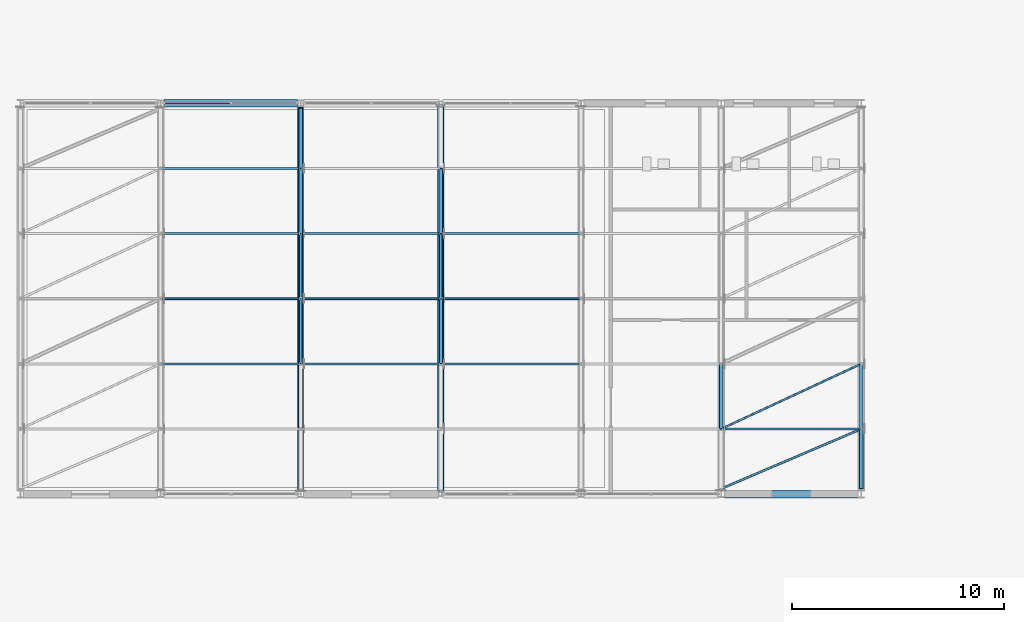
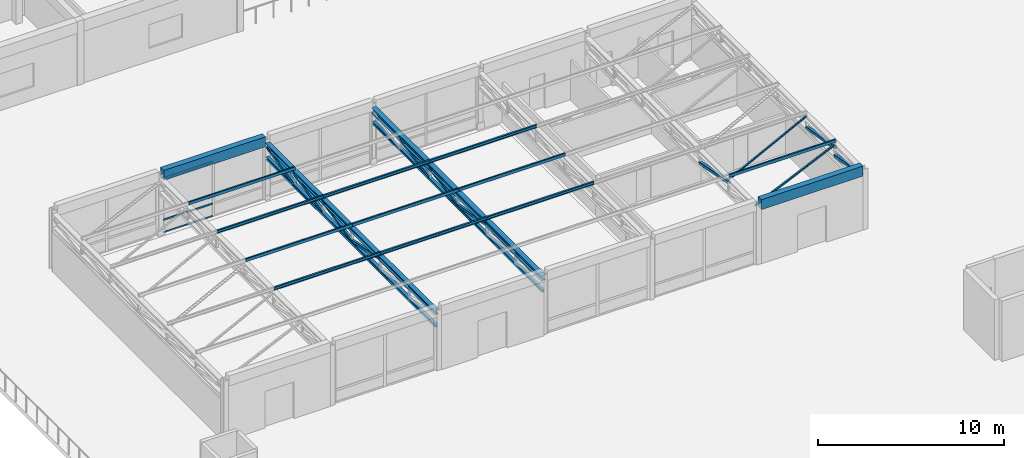
# One storey, part 25 of 92: 26 members, 6 beams, 1 element without a shape of its own.
"""IFC4 building model written with IfcOpenShell, lengths in metres."""

import ifcopenshell
import ifcopenshell.guid

model = None  # the IFC model being written
_history = None  # IfcOwnerHistory: only IFC2X3 demands one
_inside = {}  # id of a spatial element -> (the spatial element, [elements in it])
_under = {}  # id of a project, library or spatial element -> (it, [spatial elements below it])
_declared = {}  # id of a project -> (the project, [libraries it declares])
_typed = {}  # id of a type object -> (the type object, [elements of that type])
_made_of = {}  # id of a material, layer set ... -> (it, [elements and type objects made of it])


def new_model(schema):
    """Start an empty IFC model of exactly this schema.

    Asked for "IFC4X3", IfcOpenShell would pick the latest addendum, in which some entities
    have other attributes; the version numbers below select the first issue.
    IFC2X3 requires an IfcOwnerHistory on every rooted entity: one is made here for all.
    """
    global model, _history
    if schema == "IFC4X3":
        model = ifcopenshell.file(schema_version=(4, 3, 0, 0))
    else:
        model = ifcopenshell.file(schema=schema)
    _inside.clear()
    _under.clear()
    _declared.clear()
    _typed.clear()
    _made_of.clear()
    _history = None
    if model.schema == "IFC2X3":
        org = make("IfcOrganization", Name="unknown")
        user = make(
            "IfcPersonAndOrganization",
            ThePerson=make("IfcPerson", FamilyName="unknown"),
            TheOrganization=org,
        )
        app = make(
            "IfcApplication",
            ApplicationDeveloper=org,
            Version="unknown",
            ApplicationFullName="unknown",
            ApplicationIdentifier="unknown",
        )
        _history = make(
            "IfcOwnerHistory",
            OwningUser=user,
            OwningApplication=app,
            ChangeAction="ADDED",
            CreationDate=0,
        )
    return model


def make(cls, **values):
    """One entity of the class cls with the attributes given. An attribute that is None is left unset."""
    return model.create_entity(
        cls, **{name: value for name, value in values.items() if value is not None}
    )


def rooted(cls, **values):
    """An entity with a GlobalId (a new one), such as an element, a storey or a relation."""
    return make(cls, GlobalId=ifcopenshell.guid.new(), OwnerHistory=_history, **values)


def si_unit(unit_type, name, prefix=None):
    """IfcSIUnit, for example si_unit("LENGTHUNIT", "METRE", prefix="MILLI")."""
    return make("IfcSIUnit", UnitType=unit_type, Prefix=prefix, Name=name)


def assignment(units):
    """IfcUnitAssignment: the units of a project."""
    return None if units is None else make("IfcUnitAssignment", Units=units)


def point(xyz):
    """IfcCartesianPoint."""
    return None if xyz is None else make("IfcCartesianPoint", Coordinates=xyz)


def direction(xyz):
    """IfcDirection."""
    return None if xyz is None else make("IfcDirection", DirectionRatios=xyz)


def frame(location, z_axis=None, x_axis=None):
    """IfcAxis2Placement3D, a coordinate frame: its origin and axes. An axis left out is left unset."""
    return make(
        "IfcAxis2Placement3D",
        Location=point(location),
        Axis=direction(z_axis),
        RefDirection=direction(x_axis),
    )


def frame_2d(location, x_axis=None):
    """IfcAxis2Placement2D, a coordinate frame in the plane: its origin and x axis."""
    return make(
        "IfcAxis2Placement2D", Location=point(location), RefDirection=direction(x_axis)
    )


def origin():
    """The frame at (0, 0, 0) with its axes left unset."""
    return frame((0.0, 0.0, 0.0))


def origin_2d():
    """The frame at (0, 0) in the plane with its x axis left unset."""
    return frame_2d((0.0, 0.0))


def place(relative_to, where):
    """IfcLocalPlacement: puts the frame where relative to a parent placement (None: the world)."""
    return make(
        "IfcLocalPlacement", PlacementRelTo=relative_to, RelativePlacement=where
    )


def context(
    kind, dimensions, precision=None, world=None, true_north=None, identifier=None
):
    """IfcGeometricRepresentationContext, for example the 3D "Model" context."""
    return make(
        "IfcGeometricRepresentationContext",
        ContextIdentifier=identifier,
        ContextType=kind,
        CoordinateSpaceDimension=dimensions,
        Precision=precision,
        WorldCoordinateSystem=world,
        TrueNorth=true_north,
    )


def subcontext(parent, identifier, kind, view, scale=None):
    """IfcGeometricRepresentationSubContext, for example "Body" below "Model"."""
    return make(
        "IfcGeometricRepresentationSubContext",
        ContextIdentifier=identifier,
        ContextType=kind,
        ParentContext=parent,
        TargetScale=scale,
        TargetView=view,
    )


def project(units=None, contexts=None):
    """IfcProject with its units and contexts."""
    return rooted(
        "IfcProject",
        Name="project",
        RepresentationContexts=contexts,
        UnitsInContext=assignment(units),
    )


def spatial(cls, under=None, at=None, **own):
    """A site, building, storey or space (cls), placed at a placement, below another one or the project."""
    s = rooted(cls, ObjectPlacement=at, **own)
    if under is not None:
        _under.setdefault(under.id(), (under, []))[1].append(s)
    return s


def profile(cls, at=None, kind="AREA", **sizes):
    """A parametric profile (cls). Its sizes go by their IFC names, for example OverallWidth=200.0."""
    return make(cls, ProfileType=kind, Position=at, **sizes)


def rectangle(**sizes):
    """IfcRectangleProfileDef."""
    return profile("IfcRectangleProfileDef", **sizes)


def hollow_rectangle(**sizes):
    """IfcRectangleHollowProfileDef."""
    return profile("IfcRectangleHollowProfileDef", **sizes)


def i_section(**sizes):
    """IfcIShapeProfileDef."""
    return profile("IfcIShapeProfileDef", **sizes)


def extrude(swept, where, along, depth):
    """IfcExtrudedAreaSolid: the profile swept, set in the frame where, extruded along a direction by depth."""
    return make(
        "IfcExtrudedAreaSolid",
        SweptArea=swept,
        Position=where,
        ExtrudedDirection=direction(along),
        Depth=depth,
    )


def shape(context_of_items, identifier, shape_type, items):
    """IfcShapeRepresentation: the items that make up one representation, for example the "Body"."""
    return make(
        "IfcShapeRepresentation",
        ContextOfItems=context_of_items,
        RepresentationIdentifier=identifier,
        RepresentationType=shape_type,
        Items=items,
    )


def material(Name=None, Category=None):
    """IfcMaterial."""
    return make("IfcMaterial", Name=Name, Category=Category)


def material_profile(
    of_material, cross_section, Name=None, Category=None, Priority=None
):
    """IfcMaterialProfile: a cross section and its material."""
    return make(
        "IfcMaterialProfile",
        Name=Name,
        Material=of_material,
        Profile=cross_section,
        Priority=Priority,
        Category=Category,
    )


def profile_set(profiles, Name=None, composite=None):
    """IfcMaterialProfileSet."""
    return make(
        "IfcMaterialProfileSet",
        Name=Name,
        MaterialProfiles=profiles,
        CompositeProfile=composite,
    )


def made_of(thing, what):
    """Note that an element or type object is made of a material, layer set ...; save() writes the relation."""
    if what is not None:
        _made_of.setdefault(what.id(), (what, []))[1].append(thing)
    return thing


def type_object(cls, material=None, **own):
    """A type object (cls), such as IfcWallType, which elements share."""
    return made_of(rooted(cls, **own), material)


def element(
    cls,
    number,
    at=None,
    inside=None,
    cuts=None,
    type_object=None,
    material=None,
    context=None,
    identifier="Body",
    shape_type=None,
    held_by="IfcProductDefinitionShape",
    body=None,
    shapes=None,
    **own,
):
    """One element of the class cls, such as IfcWall. Its Tag is "e" and its number.

    at: its placement. inside: the storey or other place that contains it. cuts: it is an
    opening in that element (IfcRelVoidsElement). A single representation is given by context,
    identifier, shape_type and body (its items); several are given by shapes. held_by: the class
    of the entity that holds the representations. save() writes the other relations.
    """
    e = rooted(cls, Tag="e%d" % number, ObjectPlacement=at, **own)
    if body is not None:
        shapes = [shape(context, identifier, shape_type, body)]
    if shapes is not None:
        e.Representation = make(held_by, Representations=shapes)
    if inside is not None:
        _inside.setdefault(inside.id(), (inside, []))[1].append(e)
    if cuts is not None:
        rooted(
            "IfcRelVoidsElement", RelatingBuildingElement=cuts, RelatedOpeningElement=e
        )
    if type_object is not None:
        _typed.setdefault(type_object.id(), (type_object, []))[1].append(e)
    return made_of(e, material)


def aggregate(whole, parts):
    """IfcRelAggregates: a whole, such as a stair, and the parts it consists of."""
    return rooted("IfcRelAggregates", RelatingObject=whole, RelatedObjects=parts)


def save(model, path):
    """Write the relations noted so far, then the file.

    IfcRelAggregates (storeys below a building ...), IfcRelContainedInSpatialStructure (elements
    in a storey), IfcRelDefinesByType, IfcRelAssociatesMaterial and IfcRelDeclares: one each for
    every whole, place, type object, material and project.
    """
    for whole, parts in _under.values():
        aggregate(whole, parts)
    for where, things in _inside.values():
        rooted(
            "IfcRelContainedInSpatialStructure",
            RelatedElements=things,
            RelatingStructure=where,
        )
    for kind, things in _typed.values():
        rooted("IfcRelDefinesByType", RelatedObjects=things, RelatingType=kind)
    for what, things in _made_of.values():
        rooted("IfcRelAssociatesMaterial", RelatedObjects=things, RelatingMaterial=what)
    for by, libraries in _declared.values():
        rooted("IfcRelDeclares", RelatingContext=by, RelatedDefinitions=libraries)
    model.write(path)


model = new_model("IFC4")

# Units and contexts
model_context = context("Model", 3, precision=1e-05, world=origin(), true_north=direction((0.0, 1.0)))
body_context = subcontext(model_context, "Body", "Model", "MODEL_VIEW")
ifc_project = project(units=[si_unit("LENGTHUNIT", "METRE"), si_unit("AREAUNIT", "SQUARE_METRE"), si_unit("VOLUMEUNIT", "CUBIC_METRE"), si_unit("PLANEANGLEUNIT", "RADIAN"), si_unit("MASSUNIT", "GRAM", prefix="KILO")], contexts=[model_context])

# Site, building, storey
site_placement = place(None, origin())
site = spatial("IfcSite", under=ifc_project, at=site_placement, CompositionType="ELEMENT")
building_placement = place(site_placement, origin())
building = spatial("IfcBuilding", under=site, at=building_placement, Name="Kernevlak Ridge Housing Community", CompositionType="ELEMENT")
storey_placement = place(building_placement, frame((0.0, 0.0, 4.199951171875)))
storey = spatial("IfcBuildingStorey", under=building, at=storey_placement, Name="L01", CompositionType="ELEMENT", Elevation=4.199951171875)

# Beams
ifc_material_1 = material(Name="Concrete C35/45", Category="concrete")
ifc_material_profile_1 = material_profile(ifc_material_1, rectangle(XDim=0.35009765625, YDim=0.64990234375, at=origin_2d()), Name="RC 350x650")
ifc_profile_set_1 = profile_set([ifc_material_profile_1], Name="Concrete C35/45")
beam_type_1 = type_object("IfcBeamType", Name="B-02", PredefinedType="BEAM", material=ifc_profile_set_1)
beam_1_placement = place(storey_placement, frame((97.35009765625, 49.800048828125, 3.875), z_axis=(1.0, 0.0, 0.0), x_axis=(0.0, 1.0, 0.0)))
element("IfcBeam", 1, at=beam_1_placement, inside=storey, type_object=beam_type_1, Name="Beam B-02 L01 2412", PredefinedType="BEAM", context=body_context, shape_type="SweptSolid", body=[
    extrude(rectangle(XDim=0.35009765625, YDim=0.64990234375, at=origin_2d()), origin(), (0.0, 0.0, 1.0), 6.2998046875),
])
beam_2_placement = place(storey_placement, frame((70.949951171875, 68.199951171875, 3.875), z_axis=(1.0, 0.0, 0.0), x_axis=(0.0, 1.0, 0.0)))
element("IfcBeam", 2, at=beam_2_placement, inside=storey, type_object=beam_type_1, Name="Beam B-02 L01 2414", PredefinedType="BEAM", context=body_context, shape_type="SweptSolid", body=[
    extrude(rectangle(XDim=0.35009765625, YDim=0.64990234375, at=origin_2d()), origin(), (0.0, 0.0, 1.0), 6.31005859375),
])

# Members
ifc_material_2 = material(Name="Steel S355", Category="steel")
ifc_material_profile_2 = material_profile(ifc_material_2, hollow_rectangle(XDim=0.199951171875, YDim=0.199951171875, WallThickness=0.010009765625, InnerFilletRadius=0.010009765625, OuterFilletRadius=0.014892578125, at=origin_2d()), Name="SHS 200x200x10")
ifc_profile_set_2 = profile_set([ifc_material_profile_2], Name="Steel S355")
member_type_1 = type_object("IfcMemberType", Name="BR-01", PredefinedType="BRACE", material=ifc_profile_set_2)
member_1_placement = place(storey_placement, frame((77.39990234375, 65.13330078125, 2.844970703125), z_axis=(0.0, 0.975277256909, 0.220984778109), x_axis=(-1.0, 0.0, 0.0)))
element("IfcMember", 3, at=member_1_placement, inside=storey, type_object=member_type_1, Name="Community Hall roof truss 3 web diagonal 6", PredefinedType="BRACE", context=body_context, shape_type="SweptSolid", body=[
    extrude(hollow_rectangle(XDim=0.199951171875, YDim=0.199951171875, WallThickness=0.010009765625, InnerFilletRadius=0.010009765625, OuterFilletRadius=0.014892578125, at=origin_2d()), origin(), (0.0, 0.0, 1.0), 2.9189453125),
])
member_2_placement = place(storey_placement, frame((103.800048828125, 50.050048828125, 3.41015625), z_axis=(0.0, 0.98177933846, -0.190024552551), x_axis=(-1.0, 0.0, 0.0)))
element("IfcMember", 4, at=member_2_placement, inside=storey, type_object=member_type_1, Name="Community Hall roof truss 7 web diagonal 1", PredefinedType="BRACE", context=body_context, shape_type="SweptSolid", body=[
    extrude(hollow_rectangle(XDim=0.199951171875, YDim=0.199951171875, WallThickness=0.010009765625, InnerFilletRadius=0.010009765625, OuterFilletRadius=0.014892578125, at=origin_2d()), origin(), (0.0, 0.0, 1.0), 2.868896484375),
])
ifc_material_profile_3 = material_profile(ifc_material_2, hollow_rectangle(XDim=0.179931640625, YDim=0.179931640625, WallThickness=0.010009765625, InnerFilletRadius=0.010009765625, OuterFilletRadius=0.014892578125, at=origin_2d()), Name="SHS 180x180x10")
ifc_profile_set_3 = profile_set([ifc_material_profile_3], Name="Steel S355")
member_type_2 = type_object("IfcMemberType", Name="BR-02", PredefinedType="BRACE", material=ifc_profile_set_3)
member_3_placement = place(storey_placement, frame((77.39990234375, 62.066650390625, 2.844970703125), z_axis=(0.0, 0.978587791815, 0.205829865932), x_axis=(-1.0, 0.0, 0.0)))
element("IfcMember", 5, at=member_3_placement, inside=storey, type_object=member_type_2, Name="Community Hall roof truss 3 web diagonal 5", PredefinedType="BRACE", context=body_context, shape_type="SweptSolid", body=[
    extrude(hollow_rectangle(XDim=0.179931640625, YDim=0.179931640625, WallThickness=0.010009765625, InnerFilletRadius=0.010009765625, OuterFilletRadius=0.014892578125, at=origin_2d()), origin(), (0.0, 0.0, 1.0), 3.1337890625),
])
member_4_placement = place(storey_placement, frame((84.0, 62.066650390625, 2.83544921875), z_axis=(0.0, 0.982889013809, 0.184198769087), x_axis=(-1.0, 0.0, 0.0)))
element("IfcMember", 6, at=member_4_placement, inside=storey, type_object=member_type_2, Name="Community Hall roof truss 4 web diagonal 5", PredefinedType="BRACE", context=body_context, shape_type="SweptSolid", body=[
    extrude(hollow_rectangle(XDim=0.179931640625, YDim=0.179931640625, WallThickness=0.010009765625, InnerFilletRadius=0.010009765625, OuterFilletRadius=0.014892578125, at=origin_2d()), origin(), (0.0, 0.0, 1.0), 3.1201171875),
])
member_5_placement = place(storey_placement, frame((97.199951171875, 52.86669921875, 3.449951171875), z_axis=(0.0, 0.981694621235, -0.190461730113), x_axis=(-1.0, 0.0, 0.0)))
element("IfcMember", 7, at=member_5_placement, inside=storey, type_object=member_type_2, Name="Community Hall roof truss 6 web diagonal 2", PredefinedType="BRACE", context=body_context, shape_type="SweptSolid", body=[
    extrude(hollow_rectangle(XDim=0.179931640625, YDim=0.179931640625, WallThickness=0.010009765625, InnerFilletRadius=0.010009765625, OuterFilletRadius=0.014892578125, at=origin_2d()), origin(), (0.0, 0.0, 1.0), 3.123779296875),
])
member_6_placement = place(storey_placement, frame((103.800048828125, 52.86669921875, 3.41015625), z_axis=(0.0, 0.984563408291, -0.175028269303), x_axis=(-1.0, 0.0, 0.0)))
element("IfcMember", 8, at=member_6_placement, inside=storey, type_object=member_type_2, Name="Community Hall roof truss 7 web diagonal 2", PredefinedType="BRACE", context=body_context, shape_type="SweptSolid", body=[
    extrude(hollow_rectangle(XDim=0.179931640625, YDim=0.179931640625, WallThickness=0.010009765625, InnerFilletRadius=0.010009765625, OuterFilletRadius=0.014892578125, at=origin_2d()), origin(), (0.0, 0.0, 1.0), 3.11474609375),
])
ifc_material_profile_4 = material_profile(ifc_material_2, hollow_rectangle(XDim=0.14990234375, YDim=0.14990234375, WallThickness=0.008056640625, InnerFilletRadius=0.008056640625, OuterFilletRadius=0.011962890625, at=origin_2d()), Name="SHS 150x150x8")
ifc_profile_set_4 = profile_set([ifc_material_profile_4], Name="Steel S355")
member_type_3 = type_object("IfcMemberType", Name="BR-03", PredefinedType="BRACE", material=ifc_profile_set_4)
member_7_placement = place(storey_placement, frame((77.39990234375, 55.933349609375, 3.489990234375), z_axis=(0.0, 0.978587791815, -0.205829865932), x_axis=(-1.0, 0.0, 0.0)))
element("IfcMember", 9, at=member_7_placement, inside=storey, type_object=member_type_3, Name="Community Hall roof truss 3 web diagonal 3", PredefinedType="BRACE", context=body_context, shape_type="SweptSolid", body=[
    extrude(hollow_rectangle(XDim=0.14990234375, YDim=0.14990234375, WallThickness=0.008056640625, InnerFilletRadius=0.008056640625, OuterFilletRadius=0.011962890625, at=origin_2d()), origin(), (0.0, 0.0, 1.0), 3.1337890625),
])
member_8_placement = place(storey_placement, frame((84.0, 55.933349609375, 3.41015625), z_axis=(0.0, 0.982889013809, -0.184198769087), x_axis=(-1.0, 0.0, 0.0)))
element("IfcMember", 10, at=member_8_placement, inside=storey, type_object=member_type_3, Name="Community Hall roof truss 4 web diagonal 3", PredefinedType="BRACE", context=body_context, shape_type="SweptSolid", body=[
    extrude(hollow_rectangle(XDim=0.14990234375, YDim=0.14990234375, WallThickness=0.008056640625, InnerFilletRadius=0.008056640625, OuterFilletRadius=0.011962890625, at=origin_2d()), origin(), (0.0, 0.0, 1.0), 3.1201171875),
])
ifc_material_profile_5 = material_profile(ifc_material_2, hollow_rectangle(XDim=0.139892578125, YDim=0.139892578125, WallThickness=0.008056640625, InnerFilletRadius=0.008056640625, OuterFilletRadius=0.011962890625, at=origin_2d()), Name="SHS 140x140x8")
ifc_profile_set_5 = profile_set([ifc_material_profile_5], Name="Steel S355")
member_type_4 = type_object("IfcMemberType", Name="BR-04", PredefinedType="BRACE", material=ifc_profile_set_5)
member_9_placement = place(storey_placement, frame((77.39990234375, 59.0, 2.844970703125), z_axis=(0.0, 0.978587791815, 0.205829865932), x_axis=(-1.0, 0.0, 0.0)))
element("IfcMember", 11, at=member_9_placement, inside=storey, type_object=member_type_4, Name="Community Hall roof truss 3 web diagonal 4", PredefinedType="BRACE", context=body_context, shape_type="SweptSolid", body=[
    extrude(hollow_rectangle(XDim=0.139892578125, YDim=0.139892578125, WallThickness=0.008056640625, InnerFilletRadius=0.008056640625, OuterFilletRadius=0.011962890625, at=origin_2d()), origin(), (0.0, 0.0, 1.0), 3.1337890625),
])
member_10_placement = place(storey_placement, frame((84.0, 59.0, 2.83544921875), z_axis=(0.0, 0.982889013809, 0.184198769087), x_axis=(-1.0, 0.0, 0.0)))
element("IfcMember", 12, at=member_10_placement, inside=storey, type_object=member_type_4, Name="Community Hall roof truss 4 web diagonal 4", PredefinedType="BRACE", context=body_context, shape_type="SweptSolid", body=[
    extrude(hollow_rectangle(XDim=0.139892578125, YDim=0.139892578125, WallThickness=0.008056640625, InnerFilletRadius=0.008056640625, OuterFilletRadius=0.011962890625, at=origin_2d()), origin(), (0.0, 0.0, 1.0), 3.1201171875),
])
ifc_material_profile_6 = material_profile(ifc_material_2, hollow_rectangle(XDim=0.10009765625, YDim=0.10009765625, WallThickness=0.006103515625, InnerFilletRadius=0.006103515625, OuterFilletRadius=0.009033203125, at=origin_2d()), Name="SHS 100x100x6")
ifc_profile_set_6 = profile_set([ifc_material_profile_6], Name="Steel S355")
member_type_5 = type_object("IfcMemberType", Name="BR-06", PredefinedType="BRACE", material=ifc_profile_set_6)
member_11_placement = place(storey_placement, frame((97.199951171875, 50.050048828125, 3.625), z_axis=(0.919747546099, 0.39251044756, 0.0), x_axis=(-0.39251044756, 0.919747546099, 0.0)))
element("IfcMember", 13, at=member_11_placement, inside=storey, type_object=member_type_5, Name="Roof lateral wind brace 6.1", PredefinedType="BRACE", context=body_context, shape_type="SweptSolid", body=[
    extrude(hollow_rectangle(XDim=0.10009765625, YDim=0.10009765625, WallThickness=0.006103515625, InnerFilletRadius=0.006103515625, OuterFilletRadius=0.009033203125, at=origin_2d()), origin(), (0.0, 0.0, 1.0), 7.176025390625),
])
ifc_material_profile_7 = material_profile(ifc_material_2, hollow_rectangle(XDim=0.090087890625, YDim=0.090087890625, WallThickness=0.0048828125, InnerFilletRadius=0.0048828125, OuterFilletRadius=0.007568359375, at=origin_2d()), Name="SHS 90x90x5")
ifc_profile_set_7 = profile_set([ifc_material_profile_7], Name="Steel S355")
member_type_6 = type_object("IfcMemberType", Name="BR-07", PredefinedType="BRACE", material=ifc_profile_set_7)
member_12_placement = place(storey_placement, frame((97.199951171875, 52.86669921875, 3.625), z_axis=(0.906887206183, 0.42137346293, 0.0), x_axis=(-0.42137346293, 0.906887206183, 0.0)))
element("IfcMember", 14, at=member_12_placement, inside=storey, type_object=member_type_6, Name="Roof lateral wind brace 6.2", PredefinedType="BRACE", context=body_context, shape_type="SweptSolid", body=[
    extrude(hollow_rectangle(XDim=0.090087890625, YDim=0.090087890625, WallThickness=0.0048828125, InnerFilletRadius=0.0048828125, OuterFilletRadius=0.007568359375, at=origin_2d()), origin(), (0.0, 0.0, 1.0), 7.27783203125),
])
ifc_material_profile_8 = material_profile(ifc_material_2, i_section(OverallWidth=0.10009765625, OverallDepth=0.199951171875, WebThickness=0.005615234375, FlangeThickness=0.008544921875, FilletRadius=0.011962890625, at=origin_2d()), Name="IPE 200")
ifc_profile_set_8 = profile_set([ifc_material_profile_8], Name="Steel S355")
member_type_7 = type_object("IfcMemberType", Name="PU-01", PredefinedType="PURLIN", material=ifc_profile_set_8)
for number, where, z_axis, x_axis, name in (
    (15, (70.800048828125, 55.933349609375, 3.860107421875), (1.0, 0.0, 0.0), (0.0, 1.0, 0.0), "Community Hall steel roof purlin 2.3"),
    (16, (70.800048828125, 62.066650390625, 3.860107421875), (1.0, 0.0, 0.0), (0.0, 1.0, 0.0), "Community Hall steel roof purlin 2.5"),
):
    element("IfcMember", number, at=place(storey_placement, frame(where, z_axis=z_axis, x_axis=x_axis)), inside=storey, type_object=member_type_7, Name=name, PredefinedType="PURLIN", context=body_context, shape_type="SweptSolid", body=[
        extrude(i_section(OverallWidth=0.10009765625, OverallDepth=0.199951171875, WebThickness=0.005615234375, FlangeThickness=0.008544921875, FilletRadius=0.011962890625, at=origin_2d()), origin(), (0.0, 0.0, 1.0), 6.599853515625),
    ])
for number, where, z_axis, x_axis, name in (
    (17, (77.39990234375, 55.933349609375, 3.860107421875), (1.0, 0.0, 0.0), (0.0, 1.0, 0.0), "Community Hall steel roof purlin 3.3"),
    (18, (77.39990234375, 62.066650390625, 3.860107421875), (1.0, 0.0, 0.0), (0.0, 1.0, 0.0), "Community Hall steel roof purlin 3.5"),
    (19, (84.0, 55.933349609375, 3.860107421875), (1.0, 0.0, 0.0), (0.0, 1.0, 0.0), "Community Hall steel roof purlin 4.3"),
    (20, (84.0, 62.066650390625, 3.860107421875), (1.0, 0.0, 0.0), (0.0, 1.0, 0.0), "Community Hall steel roof purlin 4.5"),
):
    element("IfcMember", number, at=place(storey_placement, frame(where, z_axis=z_axis, x_axis=x_axis)), inside=storey, type_object=member_type_7, Name=name, PredefinedType="PURLIN", context=body_context, shape_type="SweptSolid", body=[
        extrude(i_section(OverallWidth=0.10009765625, OverallDepth=0.199951171875, WebThickness=0.005615234375, FlangeThickness=0.008544921875, FilletRadius=0.011962890625, at=origin_2d()), origin(), (0.0, 0.0, 1.0), 6.60009765625),
    ])
ifc_material_profile_9 = material_profile(ifc_material_2, hollow_rectangle(XDim=0.10009765625, YDim=0.199951171875, WallThickness=0.008056640625, InnerFilletRadius=0.008056640625, OuterFilletRadius=0.011962890625, at=origin_2d()), Name="RHS 200x100x8")
ifc_profile_set_9 = profile_set([ifc_material_profile_9], Name="Steel S355")
member_type_8 = type_object("IfcMemberType", Name="PU-05", PredefinedType="PURLIN", material=ifc_profile_set_9)
for number, where, z_axis, x_axis, name in (
    (21, (70.800048828125, 59.0, 3.860107421875), (1.0, 0.0, 0.0), (0.0, 1.0, 0.0), "Community Hall steel roof purlin 2.4"),
    (22, (70.800048828125, 65.13330078125, 3.860107421875), (1.0, 0.0, 0.0), (0.0, 1.0, 0.0), "Community Hall steel roof purlin 2.6"),
):
    element("IfcMember", number, at=place(storey_placement, frame(where, z_axis=z_axis, x_axis=x_axis)), inside=storey, type_object=member_type_8, Name=name, PredefinedType="PURLIN", context=body_context, shape_type="SweptSolid", body=[
        extrude(hollow_rectangle(XDim=0.10009765625, YDim=0.199951171875, WallThickness=0.008056640625, InnerFilletRadius=0.008056640625, OuterFilletRadius=0.011962890625, at=origin_2d()), origin(), (0.0, 0.0, 1.0), 6.599853515625),
    ])
for number, where, z_axis, x_axis, name in (
    (23, (77.39990234375, 59.0, 3.860107421875), (1.0, 0.0, 0.0), (0.0, 1.0, 0.0), "Community Hall steel roof purlin 3.4"),
    (24, (84.0, 59.0, 3.860107421875), (1.0, 0.0, 0.0), (0.0, 1.0, 0.0), "Community Hall steel roof purlin 4.4"),
    (25, (97.199951171875, 52.86669921875, 3.860107421875), (1.0, 0.0, 0.0), (0.0, 1.0, 0.0), "Community Hall steel roof purlin 6.2"),
):
    element("IfcMember", number, at=place(storey_placement, frame(where, z_axis=z_axis, x_axis=x_axis)), inside=storey, type_object=member_type_8, Name=name, PredefinedType="PURLIN", context=body_context, shape_type="SweptSolid", body=[
        extrude(hollow_rectangle(XDim=0.10009765625, YDim=0.199951171875, WallThickness=0.008056640625, InnerFilletRadius=0.008056640625, OuterFilletRadius=0.011962890625, at=origin_2d()), origin(), (0.0, 0.0, 1.0), 6.60009765625),
    ])

# Beams
ifc_material_profile_10 = material_profile(ifc_material_2, i_section(OverallWidth=0.300048828125, OverallDepth=0.35009765625, WebThickness=0.010009765625, FlangeThickness=0.017578125, FilletRadius=0.027099609375, at=origin_2d()), Name="HEA 360")
ifc_profile_set_10 = profile_set([ifc_material_profile_10], Name="Steel S355")
beam_type_2 = type_object("IfcBeamType", Name="TC-01", PredefinedType="BEAM", material=ifc_profile_set_10)
beam_3_placement = place(storey_placement, frame((84.0, 49.89990234375, 3.5849609375), z_axis=(0.0, 1.0, 0.0), x_axis=(-1.0, 0.0, 0.0)))
element("IfcBeam", 26, at=beam_3_placement, inside=storey, type_object=beam_type_2, Name="Community Hall roof truss 4 top chord", PredefinedType="BEAM", context=body_context, shape_type="SweptSolid", body=[
    extrude(i_section(OverallWidth=0.300048828125, OverallDepth=0.35009765625, WebThickness=0.010009765625, FlangeThickness=0.017578125, FilletRadius=0.027099609375, at=origin_2d()), origin(), (0.0, 0.0, 1.0), 18.2001953125),
])
ifc_material_profile_11 = material_profile(ifc_material_2, i_section(OverallWidth=0.280029296875, OverallDepth=0.27001953125, WebThickness=0.008056640625, FlangeThickness=0.012939453125, FilletRadius=0.02392578125, at=origin_2d()), Name="HEA 280")
ifc_profile_set_11 = profile_set([ifc_material_profile_11], Name="Steel S355")
beam_type_3 = type_object("IfcBeamType", Name="TC-03", PredefinedType="BEAM", material=ifc_profile_set_11)
beam_4_placement = place(storey_placement, frame((77.39990234375, 49.93994140625, 3.625), z_axis=(0.0, 1.0, 0.0), x_axis=(-1.0, 0.0, 0.0)))
element("IfcBeam", 27, at=beam_4_placement, inside=storey, type_object=beam_type_3, Name="Community Hall roof truss 3 top chord", PredefinedType="BEAM", context=body_context, shape_type="SweptSolid", body=[
    extrude(i_section(OverallWidth=0.280029296875, OverallDepth=0.27001953125, WebThickness=0.008056640625, FlangeThickness=0.012939453125, FilletRadius=0.02392578125, at=origin_2d()), origin(), (0.0, 0.0, 1.0), 18.1201171875),
])
ifc_material_profile_12 = material_profile(ifc_material_2, i_section(OverallWidth=0.199951171875, OverallDepth=0.18994140625, WebThickness=0.006591796875, FlangeThickness=0.010009765625, FilletRadius=0.01806640625, at=origin_2d()), Name="HEA 200")
ifc_profile_set_12 = profile_set([ifc_material_profile_12], Name="Steel S355")
beam_type_4 = type_object("IfcBeamType", Name="TC-06", PredefinedType="BEAM", material=ifc_profile_set_12)
beam_5_placement = place(storey_placement, frame((77.39990234375, 49.93994140625, 2.75), z_axis=(0.0, 1.0, 0.0), x_axis=(-1.0, 0.0, 0.0)))
element("IfcBeam", 28, at=beam_5_placement, inside=storey, type_object=beam_type_4, Name="Community Hall roof truss 3 bottom chord", PredefinedType="BEAM", context=body_context, shape_type="SweptSolid", body=[
    extrude(i_section(OverallWidth=0.199951171875, OverallDepth=0.18994140625, WebThickness=0.006591796875, FlangeThickness=0.010009765625, FilletRadius=0.01806640625, at=origin_2d()), origin(), (0.0, 0.0, 1.0), 18.1201171875),
])
ifc_material_profile_13 = material_profile(ifc_material_2, i_section(OverallWidth=0.179931640625, OverallDepth=0.1708984375, WebThickness=0.006103515625, FlangeThickness=0.009521484375, FilletRadius=0.014892578125, at=origin_2d()), Name="HEA 180")
ifc_profile_set_13 = profile_set([ifc_material_profile_13], Name="Steel S355")
beam_type_5 = type_object("IfcBeamType", Name="TC-07", PredefinedType="BEAM", material=ifc_profile_set_13)
beam_6_placement = place(storey_placement, frame((84.0, 49.89990234375, 2.75), z_axis=(0.0, 1.0, 0.0), x_axis=(-1.0, 0.0, 0.0)))
element("IfcBeam", 29, at=beam_6_placement, inside=storey, type_object=beam_type_5, Name="Community Hall roof truss 4 bottom chord", PredefinedType="BEAM", context=body_context, shape_type="SweptSolid", body=[
    extrude(i_section(OverallWidth=0.179931640625, OverallDepth=0.1708984375, WebThickness=0.006103515625, FlangeThickness=0.009521484375, FilletRadius=0.014892578125, at=origin_2d()), origin(), (0.0, 0.0, 1.0), 18.2001953125),
])

# Curtain wall, members
ifc_material_3 = material(Name="Aluminium EN AW-6060 anodised and laminated glass", Category="aluminium")
curtain_wall_type = type_object("IfcCurtainWallType", Name="CW-11", PredefinedType="NOTDEFINED", material=ifc_material_3)
curtain_wall_placement = place(storey_placement, origin())
curtain_wall = element("IfcCurtainWall", 30, at=curtain_wall_placement, inside=storey, type_object=curtain_wall_type, Name="Curtain wall CW-11 CW-L01-177", PredefinedType="NOTDEFINED")
ifc_material_4 = material(Name="Aluminium EN AW-6060 anodised", Category="aluminium")
ifc_material_profile_14 = material_profile(ifc_material_4, hollow_rectangle(XDim=0.054931640625, YDim=0.110107421875, WallThickness=0.00390625, InnerFilletRadius=0.001953125, OuterFilletRadius=0.00390625, at=origin_2d()), Name="ALU 55x110x4")
ifc_profile_set_14 = profile_set([ifc_material_profile_14], Name="Aluminium EN AW-6060 anodised")
member_type_9 = type_object("IfcMemberType", Name="TM-01", PredefinedType="USERDEFINED", material=ifc_profile_set_14)
member_13_placement = place(storey_placement, frame((71.0048828125, 68.199951171875, 0.027587890625), z_axis=(1.0, 0.0, 0.0), x_axis=(0.0, 1.0, 0.0)))
member_13 = element("IfcMember", 31, at=member_13_placement, type_object=member_type_9, Name="CW-11 transom 1.1", ObjectType="TRANSOM", PredefinedType="USERDEFINED", context=body_context, shape_type="SweptSolid", body=[
    extrude(hollow_rectangle(XDim=0.054931640625, YDim=0.110107421875, WallThickness=0.00390625, InnerFilletRadius=0.001953125, OuterFilletRadius=0.00390625, at=origin_2d()), origin(), (0.0, 0.0, 1.0), 3.072509765625),
])
member_14_placement = place(storey_placement, frame((71.0048828125, 68.199951171875, 0.85009765625), z_axis=(1.0, 0.0, 0.0), x_axis=(0.0, 1.0, 0.0)))
member_14 = element("IfcMember", 32, at=member_14_placement, type_object=member_type_9, Name="CW-11 transom 1.2", ObjectType="TRANSOM", PredefinedType="USERDEFINED", context=body_context, shape_type="SweptSolid", body=[
    extrude(hollow_rectangle(XDim=0.054931640625, YDim=0.110107421875, WallThickness=0.00390625, InnerFilletRadius=0.001953125, OuterFilletRadius=0.00390625, at=origin_2d()), origin(), (0.0, 0.0, 1.0), 3.072509765625),
])
member_15_placement = place(storey_placement, frame((71.0048828125, 68.199951171875, 3.572509765625), z_axis=(1.0, 0.0, 0.0), x_axis=(0.0, 1.0, 0.0)))
member_15 = element("IfcMember", 33, at=member_15_placement, type_object=member_type_9, Name="CW-11 transom 1.3", ObjectType="TRANSOM", PredefinedType="USERDEFINED", context=body_context, shape_type="SweptSolid", body=[
    extrude(hollow_rectangle(XDim=0.054931640625, YDim=0.110107421875, WallThickness=0.00390625, InnerFilletRadius=0.001953125, OuterFilletRadius=0.00390625, at=origin_2d()), origin(), (0.0, 0.0, 1.0), 3.072509765625),
])
aggregate(curtain_wall, [member_13, member_14, member_15])

save(model, "model.ifc")
